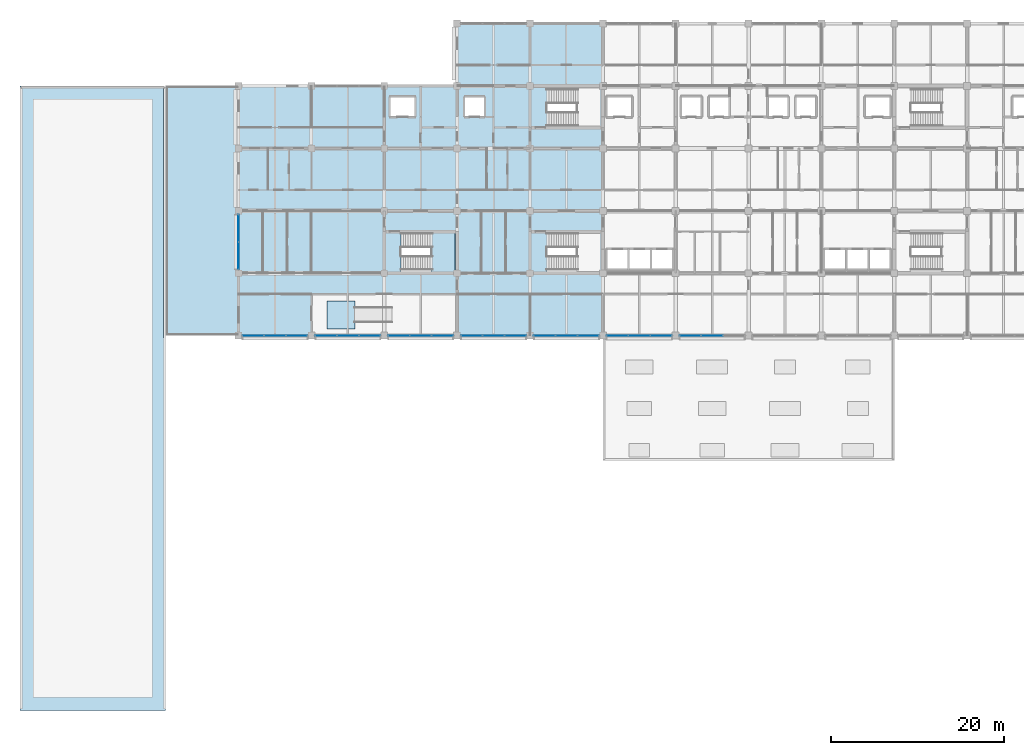
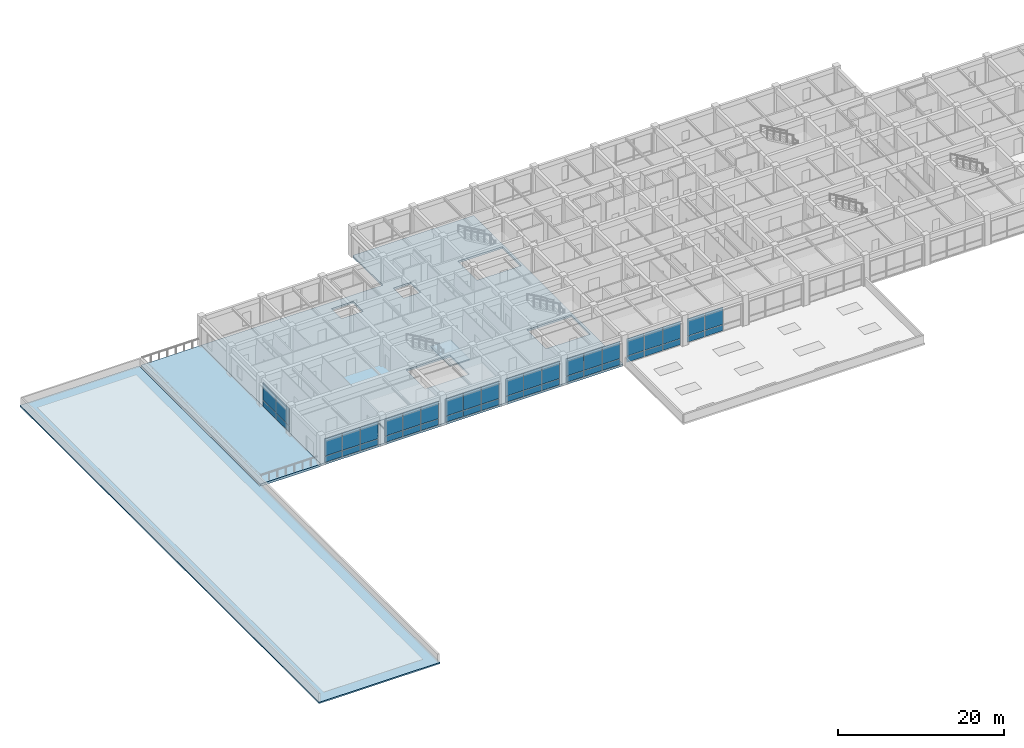
# One storey, part 14 of 40: 44 plates, 5 slabs, 9 elements without a shape of their own.
"""IFC4 building model written with IfcOpenShell, lengths in metres."""

from ifc_helpers import new_model, si_unit, direction, frame, origin, origin_2d, place, context, subcontext, project, spatial, polyline, rectangle, outline, extrude, material, layer, layer_set, type_object, element, aggregate, save


model = new_model("IFC4")

# Units and contexts
model_context = context("Model", 3, precision=1e-05, world=origin(), true_north=direction((0.0, 1.0)))
body_context = subcontext(model_context, "Body", "Model", "MODEL_VIEW")
ifc_project = project(units=[si_unit("LENGTHUNIT", "METRE"), si_unit("AREAUNIT", "SQUARE_METRE"), si_unit("VOLUMEUNIT", "CUBIC_METRE"), si_unit("PLANEANGLEUNIT", "RADIAN"), si_unit("MASSUNIT", "GRAM", prefix="KILO")], contexts=[model_context])

# Site, building, storey
site_placement = place(None, origin())
site = spatial("IfcSite", under=ifc_project, at=site_placement, CompositionType="ELEMENT")
building_placement = place(site_placement, origin())
building = spatial("IfcBuilding", under=site, at=building_placement, Name="Chengyuan Square Courthouse", CompositionType="ELEMENT")
storey_placement = place(building_placement, frame((0.0, 0.0, 21.60009765625)))
storey = spatial("IfcBuildingStorey", under=building, at=storey_placement, Name="L05", CompositionType="ELEMENT", Elevation=21.60009765625)

# Curtain wall, plates
ifc_material_1 = material(Name="Unitised Aluminium and Triple Low-E Glass", Category="aluminium")
ifc_layer_1 = layer(ifc_material_1, 0.159912109375)
ifc_layer_set_1 = layer_set([ifc_layer_1], Name="Unitised Aluminium and Triple Low-E Glass")
curtain_wall_type_1 = type_object("IfcCurtainWallType", Name="CW-13", PredefinedType="USERDEFINED", material=ifc_layer_set_1)
curtain_wall_1_placement = place(storey_placement, origin())
curtain_wall_1 = element("IfcCurtainWall", 1, at=curtain_wall_1_placement, inside=storey, type_object=curtain_wall_type_1, Name="Unitised Curtain Wall CW-L05-163", ObjectType="UNITISED CURTAIN WALL", PredefinedType="USERDEFINED")
ifc_material_2 = material(Name="Triple Low-E Insulating Glass", Category="glass")
ifc_layer_2 = layer(ifc_material_2, 0.02392578125)
ifc_layer_set_2 = layer_set([ifc_layer_2], Name="Triple Low-E Insulating Glass")
plate_type_1 = type_object("IfcPlateType", Name="CWP-01", PredefinedType="CURTAIN_PANEL", material=ifc_layer_set_2)
plate_1_placement = place(storey_placement, frame((26.881591796875, 79.199951171875, 0.06005859375), z_axis=(0.0, 0.0, 1.0), x_axis=(1.0, 0.0, 0.0)))
plate_1 = element("IfcPlate", 2, at=plate_1_placement, type_object=plate_type_1, Name="CW-13 panel 1.1", PredefinedType="CURTAIN_PANEL", context=body_context, shape_type="SweptSolid", body=[
    extrude(rectangle(XDim=2.443359375, YDim=0.02392578125, at=origin_2d()), origin(), (0.0, 0.0, 1.0), 0.860107421875),
])
plate_2_placement = place(storey_placement, frame((26.881591796875, 79.199951171875, 0.97998046875), z_axis=(0.0, 0.0, 1.0), x_axis=(1.0, 0.0, 0.0)))
plate_2 = element("IfcPlate", 3, at=plate_2_placement, type_object=plate_type_1, Name="CW-13 panel 1.2", PredefinedType="CURTAIN_PANEL", context=body_context, shape_type="SweptSolid", body=[
    extrude(rectangle(XDim=2.443359375, YDim=0.02392578125, at=origin_2d()), origin(), (0.0, 0.0, 1.0), 2.550048828125),
])
plate_3_placement = place(storey_placement, frame((29.39990234375, 79.199951171875, 0.06005859375), z_axis=(0.0, 0.0, 1.0), x_axis=(1.0, 0.0, 0.0)))
plate_3 = element("IfcPlate", 4, at=plate_3_placement, type_object=plate_type_1, Name="CW-13 panel 2.1", PredefinedType="CURTAIN_PANEL", context=body_context, shape_type="SweptSolid", body=[
    extrude(rectangle(XDim=2.473388671875, YDim=0.02392578125, at=origin_2d()), origin(), (0.0, 0.0, 1.0), 0.860107421875),
])
plate_4_placement = place(storey_placement, frame((29.39990234375, 79.199951171875, 0.97998046875), z_axis=(0.0, 0.0, 1.0), x_axis=(1.0, 0.0, 0.0)))
plate_4 = element("IfcPlate", 5, at=plate_4_placement, type_object=plate_type_1, Name="CW-13 panel 2.2", PredefinedType="CURTAIN_PANEL", context=body_context, shape_type="SweptSolid", body=[
    extrude(rectangle(XDim=2.473388671875, YDim=0.02392578125, at=origin_2d()), origin(), (0.0, 0.0, 1.0), 2.550048828125),
])
plate_5_placement = place(storey_placement, frame((31.918212890625, 79.199951171875, 0.06005859375), z_axis=(0.0, 0.0, 1.0), x_axis=(1.0, 0.0, 0.0)))
plate_5 = element("IfcPlate", 6, at=plate_5_placement, type_object=plate_type_1, Name="CW-13 panel 3.1", PredefinedType="CURTAIN_PANEL", context=body_context, shape_type="SweptSolid", body=[
    extrude(rectangle(XDim=2.443359375, YDim=0.02392578125, at=origin_2d()), origin(), (0.0, 0.0, 1.0), 0.860107421875),
])
plate_6_placement = place(storey_placement, frame((31.918212890625, 79.199951171875, 0.97998046875), z_axis=(0.0, 0.0, 1.0), x_axis=(1.0, 0.0, 0.0)))
plate_6 = element("IfcPlate", 7, at=plate_6_placement, type_object=plate_type_1, Name="CW-13 panel 3.2", PredefinedType="CURTAIN_PANEL", context=body_context, shape_type="SweptSolid", body=[
    extrude(rectangle(XDim=2.443359375, YDim=0.02392578125, at=origin_2d()), origin(), (0.0, 0.0, 1.0), 2.550048828125),
])
aggregate(curtain_wall_1, [plate_1, plate_2, plate_3, plate_4, plate_5, plate_6])

curtain_wall_2_placement = place(storey_placement, origin())
curtain_wall_2 = element("IfcCurtainWall", 8, at=curtain_wall_2_placement, inside=storey, type_object=curtain_wall_type_1, Name="Unitised Curtain Wall CW-L05-165", ObjectType="UNITISED CURTAIN WALL", PredefinedType="USERDEFINED")
plate_7_placement = place(storey_placement, frame((35.28173828125, 79.199951171875, 0.06005859375), z_axis=(0.0, 0.0, 1.0), x_axis=(1.0, 0.0, 0.0)))
plate_7 = element("IfcPlate", 9, at=plate_7_placement, type_object=plate_type_1, Name="CW-13 panel 1.1", PredefinedType="CURTAIN_PANEL", context=body_context, shape_type="SweptSolid", body=[
    extrude(rectangle(XDim=2.443359375, YDim=0.02392578125, at=origin_2d()), origin(), (0.0, 0.0, 1.0), 0.860107421875),
])
plate_8_placement = place(storey_placement, frame((35.28173828125, 79.199951171875, 0.97998046875), z_axis=(0.0, 0.0, 1.0), x_axis=(1.0, 0.0, 0.0)))
plate_8 = element("IfcPlate", 10, at=plate_8_placement, type_object=plate_type_1, Name="CW-13 panel 1.2", PredefinedType="CURTAIN_PANEL", context=body_context, shape_type="SweptSolid", body=[
    extrude(rectangle(XDim=2.443359375, YDim=0.02392578125, at=origin_2d()), origin(), (0.0, 0.0, 1.0), 2.550048828125),
])
plate_9_placement = place(storey_placement, frame((37.800048828125, 79.199951171875, 0.06005859375), z_axis=(0.0, 0.0, 1.0), x_axis=(1.0, 0.0, 0.0)))
plate_9 = element("IfcPlate", 11, at=plate_9_placement, type_object=plate_type_1, Name="CW-13 panel 2.1", PredefinedType="CURTAIN_PANEL", context=body_context, shape_type="SweptSolid", body=[
    extrude(rectangle(XDim=2.473388671875, YDim=0.02392578125, at=origin_2d()), origin(), (0.0, 0.0, 1.0), 0.860107421875),
])
plate_10_placement = place(storey_placement, frame((37.800048828125, 79.199951171875, 0.97998046875), z_axis=(0.0, 0.0, 1.0), x_axis=(1.0, 0.0, 0.0)))
plate_10 = element("IfcPlate", 12, at=plate_10_placement, type_object=plate_type_1, Name="CW-13 panel 2.2", PredefinedType="CURTAIN_PANEL", context=body_context, shape_type="SweptSolid", body=[
    extrude(rectangle(XDim=2.473388671875, YDim=0.02392578125, at=origin_2d()), origin(), (0.0, 0.0, 1.0), 2.550048828125),
])
plate_11_placement = place(storey_placement, frame((40.318359375, 79.199951171875, 0.06005859375), z_axis=(0.0, 0.0, 1.0), x_axis=(1.0, 0.0, 0.0)))
plate_11 = element("IfcPlate", 13, at=plate_11_placement, type_object=plate_type_1, Name="CW-13 panel 3.1", PredefinedType="CURTAIN_PANEL", context=body_context, shape_type="SweptSolid", body=[
    extrude(rectangle(XDim=2.443359375, YDim=0.02392578125, at=origin_2d()), origin(), (0.0, 0.0, 1.0), 0.860107421875),
])
plate_12_placement = place(storey_placement, frame((40.318359375, 79.199951171875, 0.97998046875), z_axis=(0.0, 0.0, 1.0), x_axis=(1.0, 0.0, 0.0)))
plate_12 = element("IfcPlate", 14, at=plate_12_placement, type_object=plate_type_1, Name="CW-13 panel 3.2", PredefinedType="CURTAIN_PANEL", context=body_context, shape_type="SweptSolid", body=[
    extrude(rectangle(XDim=2.443359375, YDim=0.02392578125, at=origin_2d()), origin(), (0.0, 0.0, 1.0), 2.550048828125),
])
aggregate(curtain_wall_2, [plate_7, plate_8, plate_9, plate_10, plate_11, plate_12])

curtain_wall_3_placement = place(storey_placement, origin())
curtain_wall_3 = element("IfcCurtainWall", 15, at=curtain_wall_3_placement, inside=storey, type_object=curtain_wall_type_1, Name="Unitised Curtain Wall CW-L05-167", ObjectType="UNITISED CURTAIN WALL", PredefinedType="USERDEFINED")
plate_13_placement = place(storey_placement, frame((43.681640625, 79.199951171875, 0.06005859375), z_axis=(0.0, 0.0, 1.0), x_axis=(1.0, 0.0, 0.0)))
plate_13 = element("IfcPlate", 16, at=plate_13_placement, type_object=plate_type_1, Name="CW-13 panel 1.1", PredefinedType="CURTAIN_PANEL", context=body_context, shape_type="SweptSolid", body=[
    extrude(rectangle(XDim=2.443359375, YDim=0.02392578125, at=origin_2d()), origin(), (0.0, 0.0, 1.0), 0.860107421875),
])
plate_14_placement = place(storey_placement, frame((43.681640625, 79.199951171875, 0.97998046875), z_axis=(0.0, 0.0, 1.0), x_axis=(1.0, 0.0, 0.0)))
plate_14 = element("IfcPlate", 17, at=plate_14_placement, type_object=plate_type_1, Name="CW-13 panel 1.2", PredefinedType="CURTAIN_PANEL", context=body_context, shape_type="SweptSolid", body=[
    extrude(rectangle(XDim=2.443359375, YDim=0.02392578125, at=origin_2d()), origin(), (0.0, 0.0, 1.0), 2.550048828125),
])
plate_15_placement = place(storey_placement, frame((46.199951171875, 79.199951171875, 0.06005859375), z_axis=(0.0, 0.0, 1.0), x_axis=(1.0, 0.0, 0.0)))
plate_15 = element("IfcPlate", 18, at=plate_15_placement, type_object=plate_type_1, Name="CW-13 panel 2.1", PredefinedType="CURTAIN_PANEL", context=body_context, shape_type="SweptSolid", body=[
    extrude(rectangle(XDim=2.473388671875, YDim=0.02392578125, at=origin_2d()), origin(), (0.0, 0.0, 1.0), 0.860107421875),
])
plate_16_placement = place(storey_placement, frame((46.199951171875, 79.199951171875, 0.97998046875), z_axis=(0.0, 0.0, 1.0), x_axis=(1.0, 0.0, 0.0)))
plate_16 = element("IfcPlate", 19, at=plate_16_placement, type_object=plate_type_1, Name="CW-13 panel 2.2", PredefinedType="CURTAIN_PANEL", context=body_context, shape_type="SweptSolid", body=[
    extrude(rectangle(XDim=2.473388671875, YDim=0.02392578125, at=origin_2d()), origin(), (0.0, 0.0, 1.0), 2.550048828125),
])
plate_17_placement = place(storey_placement, frame((48.71826171875, 79.199951171875, 0.06005859375), z_axis=(0.0, 0.0, 1.0), x_axis=(1.0, 0.0, 0.0)))
plate_17 = element("IfcPlate", 20, at=plate_17_placement, type_object=plate_type_1, Name="CW-13 panel 3.1", PredefinedType="CURTAIN_PANEL", context=body_context, shape_type="SweptSolid", body=[
    extrude(rectangle(XDim=2.443359375, YDim=0.02392578125, at=origin_2d()), origin(), (0.0, 0.0, 1.0), 0.860107421875),
])
plate_18_placement = place(storey_placement, frame((48.71826171875, 79.199951171875, 0.97998046875), z_axis=(0.0, 0.0, 1.0), x_axis=(1.0, 0.0, 0.0)))
plate_18 = element("IfcPlate", 21, at=plate_18_placement, type_object=plate_type_1, Name="CW-13 panel 3.2", PredefinedType="CURTAIN_PANEL", context=body_context, shape_type="SweptSolid", body=[
    extrude(rectangle(XDim=2.443359375, YDim=0.02392578125, at=origin_2d()), origin(), (0.0, 0.0, 1.0), 2.550048828125),
])
aggregate(curtain_wall_3, [plate_13, plate_14, plate_15, plate_16, plate_17, plate_18])

curtain_wall_4_placement = place(storey_placement, origin())
curtain_wall_4 = element("IfcCurtainWall", 22, at=curtain_wall_4_placement, inside=storey, type_object=curtain_wall_type_1, Name="Unitised Curtain Wall CW-L05-168", ObjectType="UNITISED CURTAIN WALL", PredefinedType="USERDEFINED")
plate_19_placement = place(storey_placement, frame((52.081787109375, 79.199951171875, 0.06005859375), z_axis=(0.0, 0.0, 1.0), x_axis=(1.0, 0.0, 0.0)))
plate_19 = element("IfcPlate", 23, at=plate_19_placement, type_object=plate_type_1, Name="CW-13 panel 1.1", PredefinedType="CURTAIN_PANEL", context=body_context, shape_type="SweptSolid", body=[
    extrude(rectangle(XDim=2.443359375, YDim=0.02392578125, at=origin_2d()), origin(), (0.0, 0.0, 1.0), 0.860107421875),
])
plate_20_placement = place(storey_placement, frame((52.081787109375, 79.199951171875, 0.97998046875), z_axis=(0.0, 0.0, 1.0), x_axis=(1.0, 0.0, 0.0)))
plate_20 = element("IfcPlate", 24, at=plate_20_placement, type_object=plate_type_1, Name="CW-13 panel 1.2", PredefinedType="CURTAIN_PANEL", context=body_context, shape_type="SweptSolid", body=[
    extrude(rectangle(XDim=2.443359375, YDim=0.02392578125, at=origin_2d()), origin(), (0.0, 0.0, 1.0), 2.550048828125),
])
plate_21_placement = place(storey_placement, frame((54.60009765625, 79.199951171875, 0.06005859375), z_axis=(0.0, 0.0, 1.0), x_axis=(1.0, 0.0, 0.0)))
plate_21 = element("IfcPlate", 25, at=plate_21_placement, type_object=plate_type_1, Name="CW-13 panel 2.1", PredefinedType="CURTAIN_PANEL", context=body_context, shape_type="SweptSolid", body=[
    extrude(rectangle(XDim=2.473388671875, YDim=0.02392578125, at=origin_2d()), origin(), (0.0, 0.0, 1.0), 0.860107421875),
])
plate_22_placement = place(storey_placement, frame((54.60009765625, 79.199951171875, 0.97998046875), z_axis=(0.0, 0.0, 1.0), x_axis=(1.0, 0.0, 0.0)))
plate_22 = element("IfcPlate", 26, at=plate_22_placement, type_object=plate_type_1, Name="CW-13 panel 2.2", PredefinedType="CURTAIN_PANEL", context=body_context, shape_type="SweptSolid", body=[
    extrude(rectangle(XDim=2.473388671875, YDim=0.02392578125, at=origin_2d()), origin(), (0.0, 0.0, 1.0), 2.550048828125),
])
plate_23_placement = place(storey_placement, frame((57.118408203125, 79.199951171875, 0.06005859375), z_axis=(0.0, 0.0, 1.0), x_axis=(1.0, 0.0, 0.0)))
plate_23 = element("IfcPlate", 27, at=plate_23_placement, type_object=plate_type_1, Name="CW-13 panel 3.1", PredefinedType="CURTAIN_PANEL", context=body_context, shape_type="SweptSolid", body=[
    extrude(rectangle(XDim=2.443359375, YDim=0.02392578125, at=origin_2d()), origin(), (0.0, 0.0, 1.0), 0.860107421875),
])
plate_24_placement = place(storey_placement, frame((57.118408203125, 79.199951171875, 0.97998046875), z_axis=(0.0, 0.0, 1.0), x_axis=(1.0, 0.0, 0.0)))
plate_24 = element("IfcPlate", 28, at=plate_24_placement, type_object=plate_type_1, Name="CW-13 panel 3.2", PredefinedType="CURTAIN_PANEL", context=body_context, shape_type="SweptSolid", body=[
    extrude(rectangle(XDim=2.443359375, YDim=0.02392578125, at=origin_2d()), origin(), (0.0, 0.0, 1.0), 2.550048828125),
])
aggregate(curtain_wall_4, [plate_19, plate_20, plate_21, plate_22, plate_23, plate_24])

curtain_wall_5_placement = place(storey_placement, origin())
curtain_wall_5 = element("IfcCurtainWall", 29, at=curtain_wall_5_placement, inside=storey, type_object=curtain_wall_type_1, Name="Unitised Curtain Wall CW-L05-170", ObjectType="UNITISED CURTAIN WALL", PredefinedType="USERDEFINED")
plate_25_placement = place(storey_placement, frame((60.481689453125, 79.199951171875, 0.06005859375), z_axis=(0.0, 0.0, 1.0), x_axis=(1.0, 0.0, 0.0)))
plate_25 = element("IfcPlate", 30, at=plate_25_placement, type_object=plate_type_1, Name="CW-13 panel 1.1", PredefinedType="CURTAIN_PANEL", context=body_context, shape_type="SweptSolid", body=[
    extrude(rectangle(XDim=2.443359375, YDim=0.02392578125, at=origin_2d()), origin(), (0.0, 0.0, 1.0), 0.860107421875),
])
plate_26_placement = place(storey_placement, frame((60.481689453125, 79.199951171875, 0.97998046875), z_axis=(0.0, 0.0, 1.0), x_axis=(1.0, 0.0, 0.0)))
plate_26 = element("IfcPlate", 31, at=plate_26_placement, type_object=plate_type_1, Name="CW-13 panel 1.2", PredefinedType="CURTAIN_PANEL", context=body_context, shape_type="SweptSolid", body=[
    extrude(rectangle(XDim=2.443359375, YDim=0.02392578125, at=origin_2d()), origin(), (0.0, 0.0, 1.0), 2.550048828125),
])
plate_27_placement = place(storey_placement, frame((63.0, 79.199951171875, 0.06005859375), z_axis=(0.0, 0.0, 1.0), x_axis=(1.0, 0.0, 0.0)))
plate_27 = element("IfcPlate", 32, at=plate_27_placement, type_object=plate_type_1, Name="CW-13 panel 2.1", PredefinedType="CURTAIN_PANEL", context=body_context, shape_type="SweptSolid", body=[
    extrude(rectangle(XDim=2.473388671875, YDim=0.02392578125, at=origin_2d()), origin(), (0.0, 0.0, 1.0), 0.860107421875),
])
plate_28_placement = place(storey_placement, frame((63.0, 79.199951171875, 0.97998046875), z_axis=(0.0, 0.0, 1.0), x_axis=(1.0, 0.0, 0.0)))
plate_28 = element("IfcPlate", 33, at=plate_28_placement, type_object=plate_type_1, Name="CW-13 panel 2.2", PredefinedType="CURTAIN_PANEL", context=body_context, shape_type="SweptSolid", body=[
    extrude(rectangle(XDim=2.473388671875, YDim=0.02392578125, at=origin_2d()), origin(), (0.0, 0.0, 1.0), 2.550048828125),
])
plate_29_placement = place(storey_placement, frame((65.518310546875, 79.199951171875, 0.06005859375), z_axis=(0.0, 0.0, 1.0), x_axis=(1.0, 0.0, 0.0)))
plate_29 = element("IfcPlate", 34, at=plate_29_placement, type_object=plate_type_1, Name="CW-13 panel 3.1", PredefinedType="CURTAIN_PANEL", context=body_context, shape_type="SweptSolid", body=[
    extrude(rectangle(XDim=2.443359375, YDim=0.02392578125, at=origin_2d()), origin(), (0.0, 0.0, 1.0), 0.860107421875),
])
plate_30_placement = place(storey_placement, frame((65.518310546875, 79.199951171875, 0.97998046875), z_axis=(0.0, 0.0, 1.0), x_axis=(1.0, 0.0, 0.0)))
plate_30 = element("IfcPlate", 35, at=plate_30_placement, type_object=plate_type_1, Name="CW-13 panel 3.2", PredefinedType="CURTAIN_PANEL", context=body_context, shape_type="SweptSolid", body=[
    extrude(rectangle(XDim=2.443359375, YDim=0.02392578125, at=origin_2d()), origin(), (0.0, 0.0, 1.0), 2.550048828125),
])
aggregate(curtain_wall_5, [plate_25, plate_26, plate_27, plate_28, plate_29, plate_30])

curtain_wall_6_placement = place(storey_placement, origin())
curtain_wall_6 = element("IfcCurtainWall", 36, at=curtain_wall_6_placement, inside=storey, type_object=curtain_wall_type_1, Name="Unitised Curtain Wall CW-L05-171", ObjectType="UNITISED CURTAIN WALL", PredefinedType="USERDEFINED")
plate_31_placement = place(storey_placement, frame((68.881591796875, 79.199951171875, 0.06005859375), z_axis=(0.0, 0.0, 1.0), x_axis=(1.0, 0.0, 0.0)))
plate_31 = element("IfcPlate", 37, at=plate_31_placement, type_object=plate_type_1, Name="CW-13 panel 1.1", PredefinedType="CURTAIN_PANEL", context=body_context, shape_type="SweptSolid", body=[
    extrude(rectangle(XDim=2.443359375, YDim=0.02392578125, at=origin_2d()), origin(), (0.0, 0.0, 1.0), 0.860107421875),
])
plate_32_placement = place(storey_placement, frame((68.881591796875, 79.199951171875, 0.97998046875), z_axis=(0.0, 0.0, 1.0), x_axis=(1.0, 0.0, 0.0)))
plate_32 = element("IfcPlate", 38, at=plate_32_placement, type_object=plate_type_1, Name="CW-13 panel 1.2", PredefinedType="CURTAIN_PANEL", context=body_context, shape_type="SweptSolid", body=[
    extrude(rectangle(XDim=2.443359375, YDim=0.02392578125, at=origin_2d()), origin(), (0.0, 0.0, 1.0), 2.550048828125),
])
plate_33_placement = place(storey_placement, frame((71.39990234375, 79.199951171875, 0.06005859375), z_axis=(0.0, 0.0, 1.0), x_axis=(1.0, 0.0, 0.0)))
plate_33 = element("IfcPlate", 39, at=plate_33_placement, type_object=plate_type_1, Name="CW-13 panel 2.1", PredefinedType="CURTAIN_PANEL", context=body_context, shape_type="SweptSolid", body=[
    extrude(rectangle(XDim=2.473388671875, YDim=0.02392578125, at=origin_2d()), origin(), (0.0, 0.0, 1.0), 0.860107421875),
])
plate_34_placement = place(storey_placement, frame((71.39990234375, 79.199951171875, 0.97998046875), z_axis=(0.0, 0.0, 1.0), x_axis=(1.0, 0.0, 0.0)))
plate_34 = element("IfcPlate", 40, at=plate_34_placement, type_object=plate_type_1, Name="CW-13 panel 2.2", PredefinedType="CURTAIN_PANEL", context=body_context, shape_type="SweptSolid", body=[
    extrude(rectangle(XDim=2.473388671875, YDim=0.02392578125, at=origin_2d()), origin(), (0.0, 0.0, 1.0), 2.550048828125),
])
plate_35_placement = place(storey_placement, frame((73.918212890625, 79.199951171875, 0.06005859375), z_axis=(0.0, 0.0, 1.0), x_axis=(1.0, 0.0, 0.0)))
plate_35 = element("IfcPlate", 41, at=plate_35_placement, type_object=plate_type_1, Name="CW-13 panel 3.1", PredefinedType="CURTAIN_PANEL", context=body_context, shape_type="SweptSolid", body=[
    extrude(rectangle(XDim=2.443359375, YDim=0.02392578125, at=origin_2d()), origin(), (0.0, 0.0, 1.0), 0.860107421875),
])
plate_36_placement = place(storey_placement, frame((73.918212890625, 79.199951171875, 0.97998046875), z_axis=(0.0, 0.0, 1.0), x_axis=(1.0, 0.0, 0.0)))
plate_36 = element("IfcPlate", 42, at=plate_36_placement, type_object=plate_type_1, Name="CW-13 panel 3.2", PredefinedType="CURTAIN_PANEL", context=body_context, shape_type="SweptSolid", body=[
    extrude(rectangle(XDim=2.443359375, YDim=0.02392578125, at=origin_2d()), origin(), (0.0, 0.0, 1.0), 2.550048828125),
])
aggregate(curtain_wall_6, [plate_31, plate_32, plate_33, plate_34, plate_35, plate_36])

curtain_wall_7_placement = place(storey_placement, origin())
curtain_wall_7 = element("IfcCurtainWall", 43, at=curtain_wall_7_placement, inside=storey, type_object=curtain_wall_type_1, Name="Unitised Curtain Wall CW-L05-173", ObjectType="UNITISED CURTAIN WALL", PredefinedType="USERDEFINED")
plate_37_placement = place(storey_placement, frame((77.28173828125, 79.199951171875, 0.06005859375), z_axis=(0.0, 0.0, 1.0), x_axis=(1.0, 0.0, 0.0)))
plate_37 = element("IfcPlate", 44, at=plate_37_placement, type_object=plate_type_1, Name="CW-13 panel 1.1", PredefinedType="CURTAIN_PANEL", context=body_context, shape_type="SweptSolid", body=[
    extrude(rectangle(XDim=2.443359375, YDim=0.02392578125, at=origin_2d()), origin(), (0.0, 0.0, 1.0), 0.860107421875),
])
plate_38_placement = place(storey_placement, frame((77.28173828125, 79.199951171875, 0.97998046875), z_axis=(0.0, 0.0, 1.0), x_axis=(1.0, 0.0, 0.0)))
plate_38 = element("IfcPlate", 45, at=plate_38_placement, type_object=plate_type_1, Name="CW-13 panel 1.2", PredefinedType="CURTAIN_PANEL", context=body_context, shape_type="SweptSolid", body=[
    extrude(rectangle(XDim=2.443359375, YDim=0.02392578125, at=origin_2d()), origin(), (0.0, 0.0, 1.0), 2.550048828125),
])
plate_39_placement = place(storey_placement, frame((79.800048828125, 79.199951171875, 0.06005859375), z_axis=(0.0, 0.0, 1.0), x_axis=(1.0, 0.0, 0.0)))
plate_39 = element("IfcPlate", 46, at=plate_39_placement, type_object=plate_type_1, Name="CW-13 panel 2.1", PredefinedType="CURTAIN_PANEL", context=body_context, shape_type="SweptSolid", body=[
    extrude(rectangle(XDim=2.473388671875, YDim=0.02392578125, at=origin_2d()), origin(), (0.0, 0.0, 1.0), 0.860107421875),
])
plate_40_placement = place(storey_placement, frame((79.800048828125, 79.199951171875, 0.97998046875), z_axis=(0.0, 0.0, 1.0), x_axis=(1.0, 0.0, 0.0)))
plate_40 = element("IfcPlate", 47, at=plate_40_placement, type_object=plate_type_1, Name="CW-13 panel 2.2", PredefinedType="CURTAIN_PANEL", context=body_context, shape_type="SweptSolid", body=[
    extrude(rectangle(XDim=2.473388671875, YDim=0.02392578125, at=origin_2d()), origin(), (0.0, 0.0, 1.0), 2.550048828125),
])
aggregate(curtain_wall_7, [plate_37, plate_38, plate_39, plate_40])

ifc_layer_3 = layer(ifc_material_1, 0.179931640625)
ifc_layer_set_3 = layer_set([ifc_layer_3], Name="Unitised Aluminium and Triple Low-E Glass")
curtain_wall_type_2 = type_object("IfcCurtainWallType", Name="CW-02", PredefinedType="USERDEFINED", material=ifc_layer_set_3)
curtain_wall_8_placement = place(storey_placement, origin())
curtain_wall_8 = element("IfcCurtainWall", 48, at=curtain_wall_8_placement, inside=storey, type_object=curtain_wall_type_2, Name="Unitised Curtain Wall CW-L05-164", ObjectType="UNITISED CURTAIN WALL", PredefinedType="USERDEFINED")
ifc_layer_4 = layer(ifc_material_2, 0.031982421875)
ifc_layer_set_4 = layer_set([ifc_layer_4], Name="Triple Low-E Insulating Glass")
plate_type_2 = type_object("IfcPlateType", Name="CWP-02", PredefinedType="CURTAIN_PANEL", material=ifc_layer_set_4)
plate_41_placement = place(storey_placement, frame((25.199951171875, 88.416259765625, 0.06494140625), z_axis=(0.0, 0.0, 1.0), x_axis=(0.0, 1.0, 0.0)))
plate_41 = element("IfcPlate", 49, at=plate_41_placement, type_object=plate_type_2, Name="CW-02 panel 1.1", PredefinedType="CURTAIN_PANEL", context=body_context, shape_type="SweptSolid", body=[
    extrude(rectangle(XDim=3.1025390625, YDim=0.031982421875, at=origin_2d()), origin(), (0.0, 0.0, 1.0), 0.8525390625),
])
plate_42_placement = place(storey_placement, frame((25.199951171875, 88.416259765625, 0.982421875), z_axis=(0.0, 0.0, 1.0), x_axis=(0.0, 1.0, 0.0)))
plate_42 = element("IfcPlate", 50, at=plate_42_placement, type_object=plate_type_2, Name="CW-02 panel 1.2", PredefinedType="CURTAIN_PANEL", context=body_context, shape_type="SweptSolid", body=[
    extrude(rectangle(XDim=3.1025390625, YDim=0.031982421875, at=origin_2d()), origin(), (0.0, 0.0, 1.0), 2.54248046875),
])
plate_43_placement = place(storey_placement, frame((25.199951171875, 91.583740234375, 0.06494140625), z_axis=(0.0, 0.0, 1.0), x_axis=(0.0, 1.0, 0.0)))
plate_43 = element("IfcPlate", 51, at=plate_43_placement, type_object=plate_type_2, Name="CW-02 panel 2.1", PredefinedType="CURTAIN_PANEL", context=body_context, shape_type="SweptSolid", body=[
    extrude(rectangle(XDim=3.1025390625, YDim=0.031982421875, at=origin_2d()), origin(), (0.0, 0.0, 1.0), 0.8525390625),
])
plate_44_placement = place(storey_placement, frame((25.199951171875, 91.583740234375, 0.982421875), z_axis=(0.0, 0.0, 1.0), x_axis=(0.0, 1.0, 0.0)))
plate_44 = element("IfcPlate", 52, at=plate_44_placement, type_object=plate_type_2, Name="CW-02 panel 2.2", PredefinedType="CURTAIN_PANEL", context=body_context, shape_type="SweptSolid", body=[
    extrude(rectangle(XDim=3.1025390625, YDim=0.031982421875, at=origin_2d()), origin(), (0.0, 0.0, 1.0), 2.54248046875),
])
aggregate(curtain_wall_8, [plate_41, plate_42, plate_43, plate_44])

# Slab
ifc_material_3 = material(Name="Concrete C40", Category="concrete")
ifc_layer_5 = layer(ifc_material_3, 0.27001953125)
ifc_layer_set_5 = layer_set([ifc_layer_5], Name="Concrete C40")
slab_type_1 = type_object("IfcSlabType", Name="SL-DAIS", PredefinedType="FLOOR", material=ifc_layer_set_5)
slab_1_placement = place(storey_placement, origin())
element("IfcSlab", 53, at=slab_1_placement, inside=storey, type_object=slab_type_1, Name="Courtroom Accessible Judicial Dais 3", PredefinedType="FLOOR", context=body_context, shape_type="SweptSolid", body=[
    extrude(outline(polyline([(35.39990234375, 80.0), (38.60009765625, 80.0), (38.60009765625, 83.199951171875), (35.39990234375, 83.199951171875), (35.39990234375, 80.0)])), origin(), (0.0, 0.0, 1.0), 0.27001953125),
])

# Stair, slab
stair_type = type_object("IfcStairType", Name="ST-TYPE-05", PredefinedType="HALF_TURN_STAIR", material=ifc_material_3)
stair_placement = place(storey_placement, origin())
stair = element("IfcStair", 54, at=stair_placement, inside=storey, type_object=stair_type, Name="Smoke-Proof Exit Stair ST-5 (L05 to L06)", PredefinedType="HALF_TURN_STAIR")
ifc_layer_6 = layer(ifc_material_3, 0.179931640625)
ifc_layer_set_6 = layer_set([ifc_layer_6], Name="Concrete C40")
slab_type_2 = type_object("IfcSlabType", Name="SL-LND2", PredefinedType="LANDING", material=ifc_layer_set_6)
slab_2_placement = place(storey_placement, frame((0.0, 0.0, 2.06982421875)))
slab_2 = element("IfcSlab", 55, at=slab_2_placement, type_object=slab_type_2, Name="ST-5 landing 1", PredefinedType="LANDING", context=body_context, shape_type="SweptSolid", body=[
    extrude(outline(polyline([(47.3701171875, 86.56005859375), (50.139892578125, 86.56005859375), (50.139892578125, 91.239990234375), (47.3701171875, 91.239990234375), (47.3701171875, 86.56005859375)])), origin(), (0.0, 0.0, 1.0), 0.18017578125),
])
aggregate(stair, [slab_2])

# Slabs
ifc_layer_7 = layer(ifc_material_3, 0.199951171875)
ifc_layer_set_7 = layer_set([ifc_layer_7], Name="Concrete C40")
slab_type_3 = type_object("IfcSlabType", Name="SL-MRF", PredefinedType="ROOF", material=ifc_layer_set_7)
slab_3_placement = place(storey_placement, frame((0.0, 0.0, -0.2001953125)))
element("IfcSlab", 56, at=slab_3_placement, inside=storey, type_object=slab_type_3, Name="Maintenance Roof Slab SL-MRF-L05-1", PredefinedType="ROOF", context=body_context, shape_type="SweptSolid", body=[
    extrude(outline(polyline([(0.0, 57.60009765625), (0.0, 64.800048828125), (0.0, 72.0), (0.0, 79.199951171875), (0.0, 86.39990234375), (0.0, 93.60009765625), (0.0, 100.800048828125), (0.0, 108.0), (8.39990234375, 108.0), (16.52001953125, 108.0), (16.52001953125, 78.919921875), (16.800048828125, 78.919921875), (16.800048828125, 72.0), (16.800048828125, 64.800048828125), (16.800048828125, 57.60009765625), (16.800048828125, 50.39990234375), (16.800048828125, 43.199951171875), (16.800048828125, 36.0), (8.39990234375, 36.0), (0.0, 36.0), (0.0, 43.199951171875), (0.0, 50.39990234375), (0.0, 57.60009765625)])), origin(), (0.0, 0.0, 1.0), 0.2001953125),
])
ifc_material_4 = material(Name="Post-tensioned Concrete C50", Category="concrete")
ifc_layer_8 = layer(ifc_material_4, 0.280029296875)
ifc_layer_set_8 = layer_set([ifc_layer_8], Name="Post-tensioned Concrete C50")
slab_type_4 = type_object("IfcSlabType", Name="SL-PT28", PredefinedType="FLOOR", material=ifc_layer_set_8)
slab_4_placement = place(storey_placement, frame((0.0, 0.0, -0.280029296875)))
element("IfcSlab", 57, at=slab_4_placement, inside=storey, type_object=slab_type_4, Name="Suspended Floor Slab SL-L05-01", PredefinedType="FLOOR", context=body_context, shape_type="SweptSolid", body=[
    extrude(outline(polyline([(25.199951171875, 79.199951171875), (25.199951171875, 86.39990234375), (25.199951171875, 93.60009765625), (25.199951171875, 100.800048828125), (25.199951171875, 108.0), (33.60009765625, 108.0), (42.0, 108.0), (50.39990234375, 108.0), (50.39990234375, 115.199951171875), (58.800048828125, 115.199951171875), (67.199951171875, 115.199951171875), (67.199951171875, 79.199951171875), (58.800048828125, 79.199951171875), (50.39990234375, 79.199951171875), (42.0, 79.199951171875), (33.60009765625, 79.199951171875), (25.199951171875, 79.199951171875)]), holes=[polyline([(50.10009765625, 91.199951171875), (43.949951171875, 91.199951171875), (43.949951171875, 86.60009765625), (50.10009765625, 86.60009765625), (50.10009765625, 91.199951171875)]), polyline([(66.89990234375, 91.199951171875), (60.75, 91.199951171875), (60.75, 86.60009765625), (66.89990234375, 86.60009765625), (66.89990234375, 91.199951171875)]), polyline([(60.75, 107.800048828125), (60.75, 103.199951171875), (66.89990234375, 103.199951171875), (66.89990234375, 107.800048828125), (60.75, 107.800048828125)]), polyline([(45.60009765625, 106.800048828125), (42.60009765625, 106.800048828125), (42.60009765625, 104.39990234375), (45.60009765625, 104.39990234375), (45.60009765625, 106.800048828125)]), polyline([(53.60009765625, 106.800048828125), (51.199951171875, 106.800048828125), (51.199951171875, 104.39990234375), (53.60009765625, 104.39990234375), (53.60009765625, 106.800048828125)])]), origin(), (0.0, 0.0, 1.0), 0.280029296875),
])
ifc_layer_9 = layer(ifc_material_3, 0.35009765625)
ifc_layer_set_9 = layer_set([ifc_layer_9], Name="Concrete C40")
slab_type_5 = type_object("IfcSlabType", Name="SL-TER", PredefinedType="ROOF", material=ifc_layer_set_9)
slab_5_placement = place(storey_placement, frame((0.0, 0.0, -0.35009765625)))
element("IfcSlab", 58, at=slab_5_placement, inside=storey, type_object=slab_type_5, Name="West Podium Planted Timber Terrace", PredefinedType="ROOF", context=body_context, shape_type="SweptSolid", body=[
    extrude(outline(polyline([(16.800048828125, 79.199951171875), (16.800048828125, 86.39990234375), (16.800048828125, 93.60009765625), (16.800048828125, 100.800048828125), (16.800048828125, 108.0), (25.199951171875, 108.0), (25.199951171875, 100.800048828125), (25.199951171875, 93.60009765625), (25.199951171875, 86.39990234375), (25.199951171875, 79.199951171875), (16.800048828125, 79.199951171875)])), origin(), (0.0, 0.0, 1.0), 0.35009765625),
])

save(model, "model.ifc")
